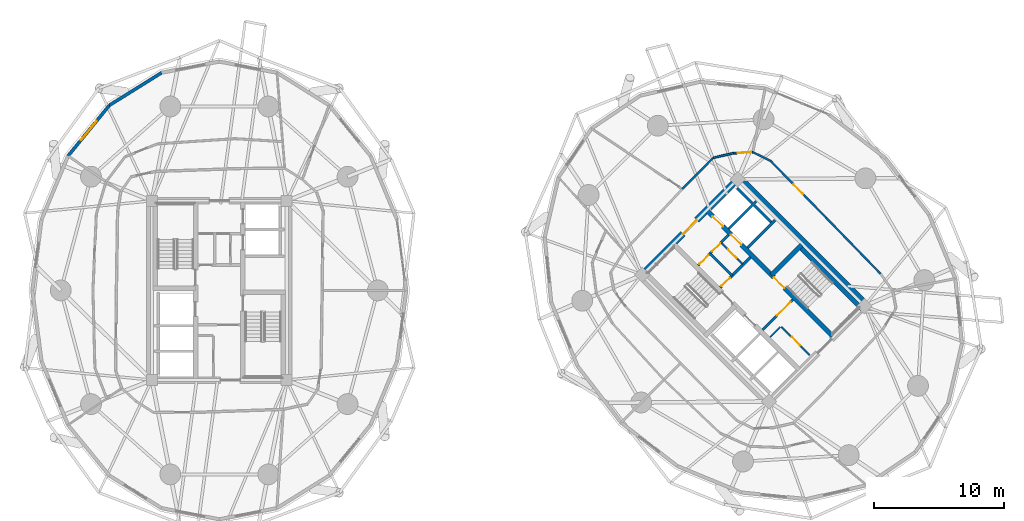
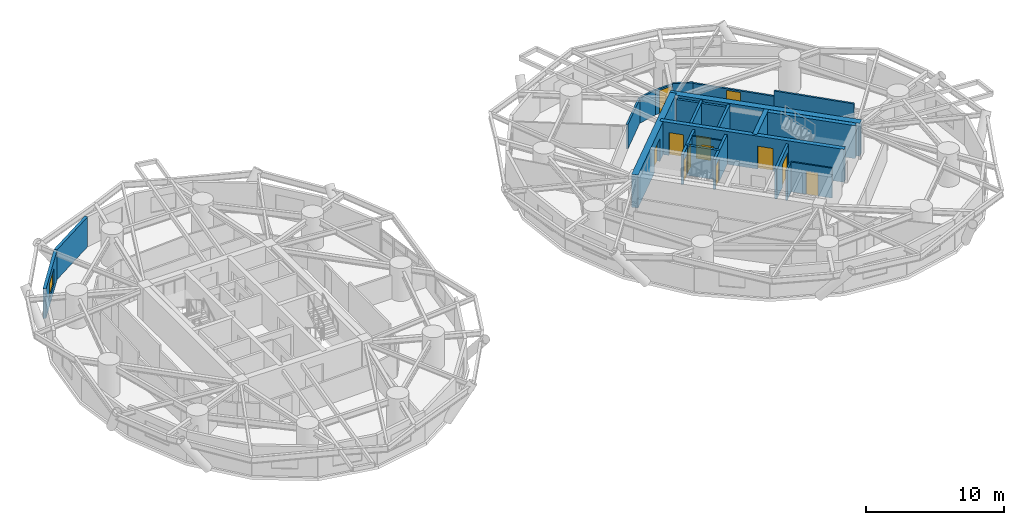
# One storey, part 13 of 17: 24 walls, 12 doors, 1 window, 13 openings.
"""IFC4 building model written with IfcOpenShell, lengths in metres."""

from ifc_helpers import new_model, si_unit, direction, frame, frame_2d, origin, place, context, subcontext, project, spatial, rectangle, extrude, source, transform, mapped, material, layer, layer_set, type_object, element, fill, save


model = new_model("IFC4")

# Units and contexts
model_context = context("Model", 3, precision=1e-05, world=origin(), true_north=direction((0.0, 1.0)))
body_context = subcontext(model_context, "Body", "Model", "MODEL_VIEW")
ifc_project = project(units=[si_unit("LENGTHUNIT", "METRE"), si_unit("AREAUNIT", "SQUARE_METRE"), si_unit("VOLUMEUNIT", "CUBIC_METRE"), si_unit("PLANEANGLEUNIT", "RADIAN"), si_unit("MASSUNIT", "GRAM", prefix="KILO")], contexts=[model_context])

# Site, building, storey
site_placement = place(None, origin())
site = spatial("IfcSite", under=ifc_project, at=site_placement, CompositionType="ELEMENT")
building_placement = place(site_placement, origin())
building = spatial("IfcBuilding", under=site, at=building_placement, Name="Cununo Teusaquillo Station Towers", CompositionType="ELEMENT")
storey_placement = place(building_placement, frame((0.0, 0.0, 27.820068359375)))
storey = spatial("IfcBuildingStorey", under=building, at=storey_placement, Name="L07", CompositionType="ELEMENT", Elevation=27.820068359375)

# Walls
ifc_material_1 = material(Name="Concrete C50/60", Category="concrete")
ifc_layer_1 = layer(ifc_material_1, 0.199951171875)
ifc_layer_set_1 = layer_set([ifc_layer_1], Name="Concrete C50/60")
wall_type_1 = type_object("IfcWallType", Name="WL-CORE-200", PredefinedType="SHEAR", material=ifc_layer_set_1)
wall_1_placement = place(storey_placement, frame((57.0615234375, 27.781005859375, 0.0), z_axis=(0.0, 0.0, 1.0), x_axis=(0.707106781187, 0.707106781187, 0.0)))
element("IfcWall", 1, at=wall_1_placement, inside=storey, type_object=wall_type_1, Name="L07 Tower B Low-Rise Lift Hoistway South Shear Wall", PredefinedType="SHEAR", context=body_context, shape_type="SweptSolid", body=[
    extrude(rectangle(XDim=2.969970703125, YDim=0.199951171875, at=frame_2d((1.48486328125, 0.0))), origin(), (0.0, 0.0, 1.0), 2.909912109375),
])
wall_2_placement = place(storey_placement, frame((55.615478515625, 29.22705078125, 0.0), z_axis=(0.0, 0.0, 1.0), x_axis=(0.707147878904, 0.70706568108, 0.0)))
element("IfcWall", 2, at=wall_2_placement, inside=storey, type_object=wall_type_1, Name="L07 Tower B Low-Rise Lift Hoistway Divider Shear Wall", PredefinedType="SHEAR", context=body_context, shape_type="SweptSolid", body=[
    extrude(rectangle(XDim=2.97021484375, YDim=0.199951171875, at=frame_2d((1.485107421875, 0.0))), origin(), (0.0, 0.0, 1.0), 2.909912109375),
])
wall_3_placement = place(storey_placement, frame((58.86474609375, 29.75390625, 0.0), z_axis=(0.0, 0.0, 1.0), x_axis=(-0.707174411312, 0.707039144592, 0.0)))
element("IfcWall", 3, at=wall_3_placement, inside=storey, type_object=wall_type_1, Name="L07 Tower B Low-Rise Lift 1 Shaft Rear Shear Wall", PredefinedType="SHEAR", context=body_context, shape_type="SweptSolid", body=[
    extrude(rectangle(XDim=1.804931640625, YDim=0.199951171875, at=frame_2d((0.90234375, 0.0))), origin(), (0.0, 0.0, 1.0), 2.909912109375),
])
wall_4_placement = place(storey_placement, frame((57.418701171875, 31.19970703125, 0.0), z_axis=(0.0, 0.0, 1.0), x_axis=(-0.707032117043, 0.707181437447, 0.0)))
element("IfcWall", 4, at=wall_4_placement, inside=storey, type_object=wall_type_1, Name="L07 Tower B Low-Rise Lift 2 Shaft Rear Shear Wall", PredefinedType="SHEAR", context=body_context, shape_type="SweptSolid", body=[
    extrude(rectangle(XDim=1.635009765625, YDim=0.199951171875, at=frame_2d((0.8173828125, 0.0))), origin(), (0.0, 0.0, 1.0), 2.909912109375),
])

# Wall, openings, doors
ifc_material_2 = material(Name="Concrete C50/60", Category="concrete")
ifc_layer_2 = layer(ifc_material_2, 0.35009765625)
ifc_layer_set_2 = layer_set([ifc_layer_2], Name="Concrete C50/60")
wall_type_2 = type_object("IfcWallType", Name="WL-CORE-350", PredefinedType="SHEAR", material=ifc_layer_set_2)
wall_5_placement = place(storey_placement, frame((63.662353515625, 20.904296875, 0.0), z_axis=(0.0, 0.0, 1.0), x_axis=(-0.707106781187, 0.707106781187, 0.0)))
wall_5 = element("IfcWall", 5, at=wall_5_placement, inside=storey, type_object=wall_type_2, Name="L07 Tower B Core Shear Wall IE", PredefinedType="SHEAR", context=body_context, shape_type="SweptSolid", body=[
    extrude(rectangle(XDim=13.800048828125, YDim=0.35009765625, at=frame_2d((6.89990234375, 0.0))), origin(), (0.0, 0.0, 1.0), 2.909912109375),
])
shared_shape_1 = source(origin(), body_context, "Body", "SweptSolid", [
    extrude(rectangle(XDim=1.10009765625, YDim=2.014892578125, at=frame_2d((0.550048828125, 1.00732421875))), frame((0.0, 0.18505859375, 0.0), z_axis=(0.0, -1.0, 0.0), x_axis=(1.0, 0.0, 0.0)), (0.0, 0.0, 1.0), 0.3701171875),
])
opening_1_placement = place(wall_5_placement, frame((10.02490234375, 0.0, 0.0)))
opening_1 = element("IfcOpeningElement", 6, at=opening_1_placement, cuts=wall_5, Name="Opening LD-01", PredefinedType="OPENING", context=body_context, shape_type="MappedRepresentation", body=[
    mapped(shared_shape_1, transform((0.0, 0.0, 0.0), x_axis=(1.0, 0.0, 0.0), y_axis=(0.0, 1.0, 0.0), z_axis=(0.0, 0.0, 1.0), scale=1.0)),
])
opening_2_placement = place(wall_5_placement, frame((12.02490234375, 0.0, 0.0)))
opening_2 = element("IfcOpeningElement", 7, at=opening_2_placement, cuts=wall_5, Name="Opening LD-01", PredefinedType="OPENING", context=body_context, shape_type="MappedRepresentation", body=[
    mapped(shared_shape_1, transform((0.0, 0.0, 0.0), x_axis=(1.0, 0.0, 0.0), y_axis=(0.0, 1.0, 0.0), z_axis=(0.0, 0.0, 1.0), scale=1.0)),
])
shared_shape_2 = source(origin(), body_context, "Body", "SweptSolid", [
    extrude(rectangle(XDim=1.14990234375, YDim=2.02001953125, at=frame_2d((0.574951171875, 1.010009765625))), frame((0.0, 0.18505859375, 0.0), z_axis=(0.0, -1.0, 0.0), x_axis=(1.0, 0.0, 0.0)), (0.0, 0.0, 1.0), 0.3701171875),
])
opening_3_placement = place(wall_5_placement, frame((5.330078125, 0.0, 0.0)))
opening_3 = element("IfcOpeningElement", 8, at=opening_3_placement, cuts=wall_5, Name="Opening D-ST1", PredefinedType="OPENING", context=body_context, shape_type="MappedRepresentation", body=[
    mapped(shared_shape_2, transform((0.0, 0.0, 0.0), x_axis=(1.0, 0.0, 0.0), y_axis=(0.0, 1.0, 0.0), z_axis=(0.0, 0.0, 1.0), scale=1.0)),
])
ifc_material_3 = material(Name="Galvanised fire-rated hollow steel door assembly", Category="steel")
door_type_1 = type_object("IfcDoorType", Name="DR-LIFT-1100", OperationType="SLIDING_TO_LEFT", PredefinedType="DOOR", material=ifc_material_3)
shared_shape_3 = source(origin(), body_context, "Body", "SweptSolid", [
    extrude(rectangle(XDim=1.10009765625, YDim=2.014892578125, at=frame_2d((0.550048828125, 1.00732421875))), frame((0.0, 0.02490234375, 0.0), z_axis=(0.0, -1.0, 0.0), x_axis=(1.0, 0.0, 0.0)), (0.0, 0.0, 1.0), 0.050048828125),
])
door_1_placement = place(opening_1_placement, origin())
door_1 = element("IfcDoor", 9, at=door_1_placement, inside=storey, type_object=door_type_1, Name="L07 Lift PL-T2-L1 Sliding Landing Door", OperationType="SLIDING_TO_RIGHT", OverallHeight=2.014892578125, OverallWidth=1.10009765625, PredefinedType="DOOR", context=body_context, shape_type="MappedRepresentation", body=[
    mapped(shared_shape_3, transform((0.0, 0.0, 0.0), x_axis=(1.0, 0.0, 0.0), y_axis=(0.0, 1.0, 0.0), z_axis=(0.0, 0.0, 1.0), scale=1.0)),
])
fill(opening_1, door_1)
door_2_placement = place(opening_2_placement, origin())
door_2 = element("IfcDoor", 10, at=door_2_placement, inside=storey, type_object=door_type_1, Name="L07 Lift PL-T2-L2 Sliding Landing Door", OperationType="SLIDING_TO_LEFT", OverallHeight=2.014892578125, OverallWidth=1.10009765625, PredefinedType="DOOR", context=body_context, shape_type="MappedRepresentation", body=[
    mapped(shared_shape_3, transform((0.0, 0.0, 0.0), x_axis=(1.0, 0.0, 0.0), y_axis=(0.0, 1.0, 0.0), z_axis=(0.0, 0.0, 1.0), scale=1.0)),
])
fill(opening_2, door_2)
ifc_material_4 = material(Name="Galvanised fire-rated hollow steel door assembly", Category="steel")
door_type_2 = type_object("IfcDoorType", Name="DR-STAIR-1150", OperationType="NOTDEFINED", PredefinedType="DOOR", material=ifc_material_4)
shared_shape_4 = source(origin(), body_context, "Body", "SweptSolid", [
    extrude(rectangle(XDim=1.14990234375, YDim=2.02001953125, at=frame_2d((0.574951171875, 1.010009765625))), frame((0.0, 0.02490234375, 0.0), z_axis=(0.0, -1.0, 0.0), x_axis=(1.0, 0.0, 0.0)), (0.0, 0.0, 1.0), 0.050048828125),
])
door_3_placement = place(opening_3_placement, origin())
door_3 = element("IfcDoor", 11, at=door_3_placement, inside=storey, type_object=door_type_2, Name="L07 Tower B Exit Stair 2 Fire Door", OperationType="SINGLE_SWING_RIGHT", OverallHeight=2.02001953125, OverallWidth=1.14990234375, PredefinedType="DOOR", context=body_context, shape_type="MappedRepresentation", body=[
    mapped(shared_shape_4, transform((0.0, 0.0, 0.0), x_axis=(1.0, 0.0, 0.0), y_axis=(0.0, 1.0, 0.0), z_axis=(0.0, 0.0, 1.0), scale=1.0)),
])
fill(opening_3, door_3)

# Walls
wall_6_placement = place(storey_placement, frame((65.847412109375, 23.08935546875, 0.0), z_axis=(0.0, 0.0, 1.0), x_axis=(-0.707106781187, 0.707106781187, 0.0)))
element("IfcWall", 12, at=wall_6_placement, inside=storey, type_object=wall_type_2, Name="L07 Tower B Core Shear Wall ST2E", PredefinedType="SHEAR", context=body_context, shape_type="SweptSolid", body=[
    extrude(rectangle(XDim=6.7451171875, YDim=0.35009765625, at=frame_2d((3.37255859375, 0.0))), origin(), (0.0, 0.0, 1.0), 2.909912109375),
])
wall_7_placement = place(storey_placement, frame((58.89306640625, 25.673828125, 0.0), z_axis=(0.0, 0.0, 1.0), x_axis=(0.707106781187, 0.707106781187, 0.0)))
element("IfcWall", 13, at=wall_7_placement, inside=storey, type_object=wall_type_2, Name="L07 Tower B Core Shear Wall ST2N", PredefinedType="SHEAR", context=body_context, shape_type="SweptSolid", body=[
    extrude(rectangle(XDim=3.284912109375, YDim=0.35009765625, at=frame_2d((1.642578125, 0.0))), origin(), (0.0, 0.0, 1.0), 2.909912109375),
])
ifc_material_5 = material(Name="Concrete C60/75", Category="concrete")
ifc_layer_3 = layer(ifc_material_5, 0.5)
ifc_layer_set_3 = layer_set([ifc_layer_3], Name="Concrete C60/75")
wall_type_3 = type_object("IfcWallType", Name="WL-CORE-500", PredefinedType="SHEAR", material=ifc_layer_set_3)
wall_8_placement = place(storey_placement, frame((66.3388671875, 23.227294921875, 0.0), z_axis=(0.0, 0.0, 1.0), x_axis=(-0.707106781187, 0.707106781187, 0.0)))
element("IfcWall", 14, at=wall_8_placement, inside=storey, type_object=wall_type_3, Name="L07 Tower B Core Shear Wall E", PredefinedType="SHEAR", context=body_context, shape_type="SweptSolid", body=[
    extrude(rectangle(XDim=14.2998046875, YDim=0.5, at=frame_2d((7.14990234375, 0.0))), origin(), (0.0, 0.0, 1.0), 2.909912109375),
])

# Wall, opening, door
wall_9_placement = place(storey_placement, frame((48.837890625, 25.595947265625, 0.0), z_axis=(0.0, 0.0, 1.0), x_axis=(0.707106781187, 0.707106781187, 0.0)))
wall_9 = element("IfcWall", 15, at=wall_9_placement, inside=storey, type_object=wall_type_3, Name="L07 Tower B Core Shear Wall N", PredefinedType="SHEAR", context=body_context, shape_type="SweptSolid", body=[
    extrude(rectangle(XDim=10.7001953125, YDim=0.5, at=frame_2d((5.35009765625, 0.0))), origin(), (0.0, 0.0, 1.0), 2.909912109375),
])
shared_shape_5 = source(origin(), body_context, "Body", "SweptSolid", [
    extrude(rectangle(XDim=1.5, YDim=2.02001953125, at=frame_2d((0.75, 1.010009765625))), frame((0.0, 0.260009765625, 0.0), z_axis=(0.0, -1.0, 0.0), x_axis=(1.0, 0.0, 0.0)), (0.0, 0.0, 1.0), 0.52001953125),
])
opening_4_placement = place(wall_9_placement, frame((4.60009765625, 0.0, 0.0)))
opening_4 = element("IfcOpeningElement", 16, at=opening_4_placement, cuts=wall_9, Name="Opening D-LB1", PredefinedType="OPENING", context=body_context, shape_type="MappedRepresentation", body=[
    mapped(shared_shape_5, transform((0.0, 0.0, 0.0), x_axis=(1.0, 0.0, 0.0), y_axis=(0.0, 1.0, 0.0), z_axis=(0.0, 0.0, 1.0), scale=1.0)),
])
ifc_material_6 = material(Name="Galvanised fire-rated hollow steel door assembly", Category="steel")
door_type_3 = type_object("IfcDoorType", Name="DR-LOBBY-1500", OperationType="DOUBLE_DOOR_SINGLE_SWING", PredefinedType="DOOR", material=ifc_material_6)
shared_shape_6 = source(origin(), body_context, "Body", "SweptSolid", [
    extrude(rectangle(XDim=1.5, YDim=2.02001953125, at=frame_2d((0.75, 1.010009765625))), frame((0.0, 0.02490234375, 0.0), z_axis=(0.0, -1.0, 0.0), x_axis=(1.0, 0.0, 0.0)), (0.0, 0.0, 1.0), 0.050048828125),
])
door_4_placement = place(opening_4_placement, origin())
door_4 = element("IfcDoor", 17, at=door_4_placement, inside=storey, type_object=door_type_3, Name="L07 Tower B North Core Lift Lobby Door", OperationType="DOUBLE_DOOR_SINGLE_SWING", OverallHeight=2.02001953125, OverallWidth=1.5, PredefinedType="DOOR", context=body_context, shape_type="MappedRepresentation", body=[
    mapped(shared_shape_6, transform((0.0, 0.0, 0.0), x_axis=(1.0, 0.0, 0.0), y_axis=(0.0, 1.0, 0.0), z_axis=(0.0, 0.0, 1.0), scale=1.0)),
])
fill(opening_4, door_4)

# Wall
ifc_material_7 = material(Name="Precast concrete C40/50", Category="concrete")
ifc_layer_4 = layer(ifc_material_7, 0.239990234375)
ifc_layer_set_4 = layer_set([ifc_layer_4], Name="Precast concrete C40/50")
wall_type_4 = type_object("IfcWallType", Name="WL-EXT-240", PredefinedType="SOLIDWALL", material=ifc_layer_set_4)
wall_10_placement = place(storey_placement, frame((8.064697265625, 38.71435546875, 0.0), z_axis=(0.0, 0.0, 1.0), x_axis=(0.848422721916, 0.529319265601, 0.0)))
element("IfcWall", 18, at=wall_10_placement, inside=storey, type_object=wall_type_4, Name="L07 Tower A Exterior Facade Wall C06", PredefinedType="SOLIDWALL", context=body_context, shape_type="SweptSolid", body=[
    extrude(rectangle(XDim=4.715087890625, YDim=0.239990234375, at=frame_2d((2.357421875, 0.0))), origin(), (0.0, 0.0, 1.0), 2.635009765625),
])

# Wall, opening, window
wall_11_placement = place(storey_placement, frame((4.889892578125, 34.827392578125, 0.0), z_axis=(0.0, 0.0, 1.0), x_axis=(0.632588557044, 0.774488035735, 0.0)))
wall_11 = element("IfcWall", 19, at=wall_11_placement, inside=storey, type_object=wall_type_4, Name="L07 Tower A Exterior Facade Wall C07", PredefinedType="SOLIDWALL", context=body_context, shape_type="SweptSolid", body=[
    extrude(rectangle(XDim=5.018798828125, YDim=0.239990234375, at=frame_2d((2.50927734375, 0.0))), origin(), (0.0, 0.0, 1.0), 2.635009765625),
])
shared_shape_7 = source(origin(), body_context, "Body", "SweptSolid", [
    extrude(rectangle(XDim=1.89990234375, YDim=1.35009765625, at=frame_2d((0.949951171875, 0.675048828125))), frame((0.0, 0.1298828125, 0.0), z_axis=(0.0, -1.0, 0.0), x_axis=(1.0, 0.0, 0.0)), (0.0, 0.0, 1.0), 0.260009765625),
])
opening_5_placement = place(wall_11_placement, frame((1.55908203125, 0.0, 0.64990234375)))
opening_5 = element("IfcOpeningElement", 20, at=opening_5_placement, cuts=wall_11, Name="Opening WN-02", PredefinedType="OPENING", context=body_context, shape_type="MappedRepresentation", body=[
    mapped(shared_shape_7, transform((0.0, 0.0, 0.0), x_axis=(1.0, 0.0, 0.0), y_axis=(0.0, 1.0, 0.0), z_axis=(0.0, 0.0, 1.0), scale=1.0)),
])
ifc_material_8 = material(Name="Operable acoustic tinted low-E double glazing", Category="glass")
window_type = type_object("IfcWindowType", Name="WIN-OPER-1900", PartitioningType="DOUBLE_PANEL_VERTICAL", PredefinedType="WINDOW", material=ifc_material_8)
shared_shape_8 = source(origin(), body_context, "Body", "SweptSolid", [
    extrude(rectangle(XDim=1.89990234375, YDim=1.35009765625, at=frame_2d((0.949951171875, 0.675048828125))), frame((0.0, 0.030029296875, 0.0), z_axis=(0.0, -1.0, 0.0), x_axis=(1.0, 0.0, 0.0)), (0.0, 0.0, 1.0), 0.06005859375),
])
window_placement = place(opening_5_placement, origin())
window = element("IfcWindow", 21, at=window_placement, inside=storey, type_object=window_type, Name="L07 Tower A Facade Window C07", OverallHeight=1.35009765625, OverallWidth=1.89990234375, PartitioningType="DOUBLE_PANEL_VERTICAL", PredefinedType="WINDOW", context=body_context, shape_type="MappedRepresentation", body=[
    mapped(shared_shape_8, transform((0.0, 0.0, 0.0), x_axis=(1.0, 0.0, 0.0), y_axis=(0.0, 1.0, 0.0), z_axis=(0.0, 0.0, 1.0), scale=1.0)),
])
fill(opening_5, window)

# Wall, opening, door
ifc_material_9 = material(Name="Fire-rated gypsum plasterboard partition assembly", Category="gypsum")
ifc_layer_5 = layer(ifc_material_9, 0.125)
ifc_layer_set_5 = layer_set([ifc_layer_5], Name="Fire-rated gypsum plasterboard partition assembly")
wall_type_5 = type_object("IfcWallType", Name="WL-PART-125", PredefinedType="PARTITIONING", material=ifc_layer_set_5)
wall_12_placement = place(storey_placement, frame((61.834716796875, 19.529052734375, 0.0), z_axis=(0.0, 0.0, 1.0), x_axis=(-0.707146413884, 0.707067146267, 0.0)))
wall_12 = element("IfcWall", 22, at=wall_12_placement, inside=storey, type_object=wall_type_5, Name="L07 Tower B South-West Tall Store East Wall", PredefinedType="PARTITIONING", context=body_context, shape_type="SweptSolid", body=[
    extrude(rectangle(XDim=3.079833984375, YDim=0.125, at=frame_2d((1.5400390625, 0.0))), origin(), (0.0, 0.0, 1.0), 2.635009765625),
])
shared_shape_9 = source(origin(), body_context, "Body", "SweptSolid", [
    extrude(rectangle(XDim=0.89990234375, YDim=2.0048828125, at=frame_2d((0.449951171875, 1.00244140625))), frame((0.0, 0.072509765625, 0.0), z_axis=(0.0, -1.0, 0.0), x_axis=(1.0, 0.0, 0.0)), (0.0, 0.0, 1.0), 0.14501953125),
])
opening_6_placement = place(wall_12_placement, frame((1.050048828125, 0.0, 0.0)))
opening_6 = element("IfcOpeningElement", 23, at=opening_6_placement, cuts=wall_12, Name="Opening D-SR1", PredefinedType="OPENING", context=body_context, shape_type="MappedRepresentation", body=[
    mapped(shared_shape_9, transform((0.0, 0.0, 0.0), x_axis=(1.0, 0.0, 0.0), y_axis=(0.0, 1.0, 0.0), z_axis=(0.0, 0.0, 1.0), scale=1.0)),
])
ifc_material_10 = material(Name="Galvanised fire-rated hollow steel door assembly", Category="steel")
door_type_4 = type_object("IfcDoorType", Name="DR-STORE-900", OperationType="NOTDEFINED", PredefinedType="DOOR", material=ifc_material_10)
shared_shape_10 = source(origin(), body_context, "Body", "SweptSolid", [
    extrude(rectangle(XDim=0.89990234375, YDim=2.0048828125, at=frame_2d((0.449951171875, 1.00244140625))), frame((0.0, 0.02490234375, 0.0), z_axis=(0.0, -1.0, 0.0), x_axis=(1.0, 0.0, 0.0)), (0.0, 0.0, 1.0), 0.050048828125),
])
door_5_placement = place(opening_6_placement, origin())
door_5 = element("IfcDoor", 24, at=door_5_placement, inside=storey, type_object=door_type_4, Name="L07 Tower B South Cleaners Store Door", OperationType="SINGLE_SWING_LEFT", OverallHeight=2.0048828125, OverallWidth=0.89990234375, PredefinedType="DOOR", context=body_context, shape_type="MappedRepresentation", body=[
    mapped(shared_shape_10, transform((0.0, 0.0, 0.0), x_axis=(1.0, 0.0, 0.0), y_axis=(0.0, 1.0, 0.0), z_axis=(0.0, 0.0, 1.0), scale=1.0)),
])
fill(opening_6, door_5)

# Wall
wall_13_placement = place(storey_placement, frame((58.7939453125, 20.9150390625, 0.0), z_axis=(0.0, 0.0, 1.0), x_axis=(0.707106781187, 0.707106781187, 0.0)))
element("IfcWall", 25, at=wall_13_placement, inside=storey, type_object=wall_type_5, Name="L07 Tower B South-West Tall Store North Wall", PredefinedType="PARTITIONING", context=body_context, shape_type="SweptSolid", body=[
    extrude(rectangle(XDim=1.10009765625, YDim=0.125, at=frame_2d((0.550048828125, 0.0))), origin(), (0.0, 0.0, 1.0), 2.635009765625),
])

# Wall, opening, door
wall_14_placement = place(storey_placement, frame((56.672607421875, 26.529296875, 0.0), z_axis=(0.0, 0.0, 1.0), x_axis=(-0.707052764397, 0.70716079385, 0.0)))
wall_14 = element("IfcWall", 26, at=wall_14_placement, inside=storey, type_object=wall_type_5, Name="L07 Tower B Core Vertical Split Wall", PredefinedType="PARTITIONING", context=body_context, shape_type="SweptSolid", body=[
    extrude(rectangle(XDim=2.260009765625, YDim=0.125, at=frame_2d((1.1298828125, 0.0))), origin(), (0.0, 0.0, 1.0), 2.635009765625),
])
opening_7_placement = place(wall_14_placement, frame((0.64990234375, 0.0, 0.0)))
opening_7 = element("IfcOpeningElement", 27, at=opening_7_placement, cuts=wall_14, Name="Opening D-SR1", PredefinedType="OPENING", context=body_context, shape_type="MappedRepresentation", body=[
    mapped(shared_shape_9, transform((0.0, 0.0, 0.0), x_axis=(1.0, 0.0, 0.0), y_axis=(0.0, 1.0, 0.0), z_axis=(0.0, 0.0, 1.0), scale=1.0)),
])
door_6_placement = place(opening_7_placement, origin())
door_6 = element("IfcDoor", 28, at=door_6_placement, inside=storey, type_object=door_type_4, Name="L07 Tower B Core Electrical Room Door", OperationType="SINGLE_SWING_LEFT", OverallHeight=2.0048828125, OverallWidth=0.89990234375, PredefinedType="DOOR", context=body_context, shape_type="MappedRepresentation", body=[
    mapped(shared_shape_10, transform((0.0, 0.0, 0.0), x_axis=(1.0, 0.0, 0.0), y_axis=(0.0, 1.0, 0.0), z_axis=(0.0, 0.0, 1.0), scale=1.0)),
])
fill(opening_7, door_6)

ifc_material_11 = material(Name="Fire-rated gypsum plasterboard partition assembly", Category="gypsum")
ifc_layer_6 = layer(ifc_material_11, 0.14990234375)
ifc_layer_set_6 = layer_set([ifc_layer_6], Name="Fire-rated gypsum plasterboard partition assembly")
wall_type_6 = type_object("IfcWallType", Name="WL-PART-150", PredefinedType="PARTITIONING", material=ifc_layer_set_6)
wall_15_placement = place(storey_placement, frame((63.086181640625, 30.086181640625, 0.0), z_axis=(0.0, 0.0, 1.0), x_axis=(-0.699075897379, 0.715047473741, 0.0)))
wall_15 = element("IfcWall", 29, at=wall_15_placement, inside=storey, type_object=wall_type_6, Name="L07 Tower B Corridor Ring Wall C00", PredefinedType="PARTITIONING", context=body_context, shape_type="SweptSolid", body=[
    extrude(rectangle(XDim=6.1142578125, YDim=0.14990234375, at=frame_2d((3.05712890625, 0.0))), origin(), (0.0, 0.0, 1.0), 2.158935546875),
])
shared_shape_11 = source(origin(), body_context, "Body", "SweptSolid", [
    extrude(rectangle(XDim=1.050048828125, YDim=2.014892578125, at=frame_2d((0.52490234375, 1.00732421875))), frame((0.0, 0.0849609375, 0.0), z_axis=(0.0, -1.0, 0.0), x_axis=(1.0, 0.0, 0.0)), (0.0, 0.0, 1.0), 0.169921875),
])
opening_8_placement = place(wall_15_placement, frame((2.5322265625, 0.0, 0.0)))
opening_8 = element("IfcOpeningElement", 30, at=opening_8_placement, cuts=wall_15, Name="Opening D-SU1", PredefinedType="OPENING", context=body_context, shape_type="MappedRepresentation", body=[
    mapped(shared_shape_11, transform((0.0, 0.0, 0.0), x_axis=(1.0, 0.0, 0.0), y_axis=(0.0, 1.0, 0.0), z_axis=(0.0, 0.0, 1.0), scale=1.0)),
])
ifc_material_12 = material(Name="Acoustic solid-core hardwood leaf assembly", Category="wood")
door_type_5 = type_object("IfcDoorType", Name="DR-SUITE-1050", OperationType="NOTDEFINED", PredefinedType="DOOR", material=ifc_material_12)
shared_shape_12 = source(origin(), body_context, "Body", "SweptSolid", [
    extrude(rectangle(XDim=1.050048828125, YDim=2.014892578125, at=frame_2d((0.52490234375, 1.00732421875))), frame((0.0, 0.02490234375, 0.0), z_axis=(0.0, -1.0, 0.0), x_axis=(1.0, 0.0, 0.0)), (0.0, 0.0, 1.0), 0.050048828125),
])
door_7_placement = place(opening_8_placement, origin())
door_7 = element("IfcDoor", 31, at=door_7_placement, inside=storey, type_object=door_type_5, Name="L07 Tower B Grand Conference Salon Entrance Door", OperationType="SINGLE_SWING_LEFT", OverallHeight=2.014892578125, OverallWidth=1.050048828125, PredefinedType="DOOR", context=body_context, shape_type="MappedRepresentation", body=[
    mapped(shared_shape_12, transform((0.0, 0.0, 0.0), x_axis=(1.0, 0.0, 0.0), y_axis=(0.0, 1.0, 0.0), z_axis=(0.0, 0.0, 1.0), scale=1.0)),
])
fill(opening_8, door_7)

# Wall
wall_16_placement = place(storey_placement, frame((58.811767578125, 34.458251953125, 0.0), z_axis=(0.0, 0.0, 1.0), x_axis=(-0.899559490277, 0.436798264021, 0.0)))
element("IfcWall", 32, at=wall_16_placement, inside=storey, type_object=wall_type_6, Name="L07 Tower B Corridor Ring Wall C01", PredefinedType="PARTITIONING", context=body_context, shape_type="SweptSolid", body=[
    extrude(rectangle(XDim=1.4951171875, YDim=0.14990234375, at=frame_2d((0.74755859375, 0.0))), origin(), (0.0, 0.0, 1.0), 2.204833984375),
])

# Wall, opening, door
wall_17_placement = place(storey_placement, frame((57.466796875, 35.111328125, 0.0), z_axis=(0.0, 0.0, 1.0), x_axis=(-0.998691757323, -0.051134859488, 0.0)))
wall_17 = element("IfcWall", 33, at=wall_17_placement, inside=storey, type_object=wall_type_6, Name="L07 Tower B Corridor Ring Wall C02", PredefinedType="PARTITIONING", context=body_context, shape_type="SweptSolid", body=[
    extrude(rectangle(XDim=1.48486328125, YDim=0.14990234375, at=frame_2d((0.742431640625, 0.0))), origin(), (0.0, 0.0, 1.0), 2.158935546875),
])
opening_9_placement = place(wall_17_placement, frame((0.1201171875, 0.0, 0.0)))
opening_9 = element("IfcOpeningElement", 34, at=opening_9_placement, cuts=wall_17, Name="Opening D-SU1", PredefinedType="OPENING", context=body_context, shape_type="MappedRepresentation", body=[
    mapped(shared_shape_11, transform((0.0, 0.0, 0.0), x_axis=(1.0, 0.0, 0.0), y_axis=(0.0, 1.0, 0.0), z_axis=(0.0, 0.0, 1.0), scale=1.0)),
])
door_8_placement = place(opening_9_placement, origin())
door_8 = element("IfcDoor", 35, at=door_8_placement, inside=storey, type_object=door_type_5, Name="L07 Tower B Simultaneous Interpretation Hall Entrance Door", OperationType="SINGLE_SWING_RIGHT", OverallHeight=2.014892578125, OverallWidth=1.050048828125, PredefinedType="DOOR", context=body_context, shape_type="MappedRepresentation", body=[
    mapped(shared_shape_12, transform((0.0, 0.0, 0.0), x_axis=(1.0, 0.0, 0.0), y_axis=(0.0, 1.0, 0.0), z_axis=(0.0, 0.0, 1.0), scale=1.0)),
])
fill(opening_9, door_8)

# Walls
wall_18_placement = place(storey_placement, frame((55.98388671875, 35.035400390625, 0.0), z_axis=(0.0, 0.0, 1.0), x_axis=(-0.975290305708, -0.22092718165, 0.0)))
element("IfcWall", 36, at=wall_18_placement, inside=storey, type_object=wall_type_6, Name="L07 Tower B Corridor Ring Wall C03", PredefinedType="PARTITIONING", context=body_context, shape_type="SweptSolid", body=[
    extrude(rectangle(XDim=1.596923828125, YDim=0.14990234375, at=frame_2d((0.79833984375, 0.0))), origin(), (0.0, 0.0, 1.0), 2.204833984375),
])
wall_19_placement = place(storey_placement, frame((54.426513671875, 34.6826171875, 0.0), z_axis=(0.0, 0.0, 1.0), x_axis=(-0.704178989986, -0.710022499687, 0.0)))
element("IfcWall", 37, at=wall_19_placement, inside=storey, type_object=wall_type_6, Name="L07 Tower B Corridor Ring Wall C04", PredefinedType="PARTITIONING", context=body_context, shape_type="SweptSolid", body=[
    extrude(rectangle(XDim=3.38427734375, YDim=0.14990234375, at=frame_2d((1.692138671875, 0.0))), origin(), (0.0, 0.0, 1.0), 2.158935546875),
])
wall_20_placement = place(storey_placement, frame((67.270263671875, 25.77978515625, 0.0), z_axis=(0.0, 0.0, 1.0), x_axis=(-0.696847842907, 0.717218992942, 0.0)))
element("IfcWall", 38, at=wall_20_placement, inside=storey, type_object=wall_type_6, Name="L07 Tower B Corridor Ring Wall C19", PredefinedType="PARTITIONING", context=body_context, shape_type="SweptSolid", body=[
    extrude(rectangle(XDim=6.00439453125, YDim=0.14990234375, at=frame_2d((3.002197265625, 0.0))), origin(), (0.0, 0.0, 1.0), 2.635009765625),
])

# Wall, opening, door
ifc_material_13 = material(Name="Fire-rated gypsum plasterboard partition assembly", Category="gypsum")
ifc_layer_7 = layer(ifc_material_13, 0.199951171875)
ifc_layer_set_7 = layer_set([ifc_layer_7], Name="Fire-rated gypsum plasterboard partition assembly")
wall_type_7 = type_object("IfcWallType", Name="WL-PART-200", PredefinedType="PARTITIONING", material=ifc_layer_set_7)
wall_21_placement = place(storey_placement, frame((58.214111328125, 21.466552734375, 0.0), z_axis=(0.0, 0.0, 1.0), x_axis=(0.707106781187, 0.707106781187, 0.0)))
wall_21 = element("IfcWall", 39, at=wall_21_placement, inside=storey, type_object=wall_type_7, Name="L07 Tower B Firefighting Lift Lobby South Fire Wall", PredefinedType="PARTITIONING", context=body_context, shape_type="SweptSolid", body=[
    extrude(rectangle(XDim=3.280029296875, YDim=0.199951171875, at=frame_2d((1.64013671875, 0.0))), origin(), (0.0, 0.0, 1.0), 2.635009765625),
])
shared_shape_13 = source(origin(), body_context, "Body", "SweptSolid", [
    extrude(rectangle(XDim=1.5, YDim=2.02001953125, at=frame_2d((0.75, 1.010009765625))), frame((0.0, 0.10986328125, 0.0), z_axis=(0.0, -1.0, 0.0), x_axis=(1.0, 0.0, 0.0)), (0.0, 0.0, 1.0), 0.219970703125),
])
opening_10_placement = place(wall_21_placement, frame((1.550048828125, 0.0, 0.0)))
opening_10 = element("IfcOpeningElement", 40, at=opening_10_placement, cuts=wall_21, Name="Opening D-LB1", PredefinedType="OPENING", context=body_context, shape_type="MappedRepresentation", body=[
    mapped(shared_shape_13, transform((0.0, 0.0, 0.0), x_axis=(1.0, 0.0, 0.0), y_axis=(0.0, 1.0, 0.0), z_axis=(0.0, 0.0, 1.0), scale=1.0)),
])
door_9_placement = place(opening_10_placement, origin())
door_9 = element("IfcDoor", 41, at=door_9_placement, inside=storey, type_object=door_type_3, Name="L07 Tower B Firefighting Lift Lobby South Fire Door", OperationType="DOUBLE_DOOR_SINGLE_SWING", OverallHeight=2.02001953125, OverallWidth=1.5, PredefinedType="DOOR", context=body_context, shape_type="MappedRepresentation", body=[
    mapped(shared_shape_6, transform((0.0, 0.0, 0.0), x_axis=(1.0, 0.0, 0.0), y_axis=(0.0, 1.0, 0.0), z_axis=(0.0, 0.0, 1.0), scale=1.0)),
])
fill(opening_10, door_9)

wall_22_placement = place(storey_placement, frame((54.96142578125, 24.71923828125, 0.0), z_axis=(0.0, 0.0, 1.0), x_axis=(0.707106781187, 0.707106781187, 0.0)))
wall_22 = element("IfcWall", 42, at=wall_22_placement, inside=storey, type_object=wall_type_7, Name="L07 Tower B Firefighting Lift Lobby North Fire Wall", PredefinedType="PARTITIONING", context=body_context, shape_type="SweptSolid", body=[
    extrude(rectangle(XDim=3.280029296875, YDim=0.199951171875, at=frame_2d((1.64013671875, 0.0))), origin(), (0.0, 0.0, 1.0), 2.635009765625),
])
shared_shape_14 = source(origin(), body_context, "Body", "SweptSolid", [
    extrude(rectangle(XDim=0.89990234375, YDim=2.0048828125, at=frame_2d((0.449951171875, 1.00244140625))), frame((0.0, 0.10986328125, 0.0), z_axis=(0.0, -1.0, 0.0), x_axis=(1.0, 0.0, 0.0)), (0.0, 0.0, 1.0), 0.219970703125),
])
opening_11_placement = place(wall_22_placement, frame((0.159912109375, 0.0, 0.0)))
opening_11 = element("IfcOpeningElement", 43, at=opening_11_placement, cuts=wall_22, Name="Opening D-SR1", PredefinedType="OPENING", context=body_context, shape_type="MappedRepresentation", body=[
    mapped(shared_shape_14, transform((0.0, 0.0, 0.0), x_axis=(1.0, 0.0, 0.0), y_axis=(0.0, 1.0, 0.0), z_axis=(0.0, 0.0, 1.0), scale=1.0)),
])
door_10_placement = place(opening_11_placement, origin())
door_10 = element("IfcDoor", 44, at=door_10_placement, inside=storey, type_object=door_type_4, Name="L07 Tower B Stair 1 Protected Vestibule South Door", OperationType="SINGLE_SWING_LEFT", OverallHeight=2.0048828125, OverallWidth=0.89990234375, PredefinedType="DOOR", context=body_context, shape_type="MappedRepresentation", body=[
    mapped(shared_shape_10, transform((0.0, 0.0, 0.0), x_axis=(1.0, 0.0, 0.0), y_axis=(0.0, 1.0, 0.0), z_axis=(0.0, 0.0, 1.0), scale=1.0)),
])
fill(opening_11, door_10)

# Wall
wall_23_placement = place(storey_placement, frame((55.873779296875, 25.63134765625, 0.0), z_axis=(0.0, 0.0, 1.0), x_axis=(-0.707157639372, 0.707055919343, 0.0)))
element("IfcWall", 45, at=wall_23_placement, inside=storey, type_object=wall_type_7, Name="L07 Tower B Stair 1 Vestibule Partition Wall", PredefinedType="PARTITIONING", context=body_context, shape_type="SweptSolid", body=[
    extrude(rectangle(XDim=2.400146484375, YDim=0.199951171875, at=frame_2d((1.2001953125, 0.0))), origin(), (0.0, 0.0, 1.0), 2.635009765625),
])

# Wall, openings, doors
wall_24_placement = place(storey_placement, frame((53.264404296875, 26.416259765625, 0.0), z_axis=(0.0, 0.0, 1.0), x_axis=(0.707106781187, 0.707106781187, 0.0)))
wall_24 = element("IfcWall", 46, at=wall_24_placement, inside=storey, type_object=wall_type_7, Name="L07 Tower B North Lift Lobby South Fire Wall", PredefinedType="PARTITIONING", context=body_context, shape_type="SweptSolid", body=[
    extrude(rectangle(XDim=3.280029296875, YDim=0.199951171875, at=frame_2d((1.64013671875, 0.0))), origin(), (0.0, 0.0, 1.0), 2.635009765625),
])
shared_shape_15 = source(origin(), body_context, "Body", "SweptSolid", [
    extrude(rectangle(XDim=1.0, YDim=2.014892578125, at=frame_2d((0.5, 1.00732421875))), frame((0.0, 0.10986328125, 0.0), z_axis=(0.0, -1.0, 0.0), x_axis=(1.0, 0.0, 0.0)), (0.0, 0.0, 1.0), 0.219970703125),
])
opening_12_placement = place(wall_24_placement, frame((0.139892578125, 0.0, 0.0)))
opening_12 = element("IfcOpeningElement", 47, at=opening_12_placement, cuts=wall_24, Name="Opening D-AC1", PredefinedType="OPENING", context=body_context, shape_type="MappedRepresentation", body=[
    mapped(shared_shape_15, transform((0.0, 0.0, 0.0), x_axis=(1.0, 0.0, 0.0), y_axis=(0.0, 1.0, 0.0), z_axis=(0.0, 0.0, 1.0), scale=1.0)),
])
opening_13_placement = place(wall_24_placement, frame((1.5, 0.0, 0.0)))
opening_13 = element("IfcOpeningElement", 48, at=opening_13_placement, cuts=wall_24, Name="Opening D-SR1", PredefinedType="OPENING", context=body_context, shape_type="MappedRepresentation", body=[
    mapped(shared_shape_14, transform((0.0, 0.0, 0.0), x_axis=(1.0, 0.0, 0.0), y_axis=(0.0, 1.0, 0.0), z_axis=(0.0, 0.0, 1.0), scale=1.0)),
])
door_11_placement = place(opening_13_placement, origin())
door_11 = element("IfcDoor", 49, at=door_11_placement, inside=storey, type_object=door_type_4, Name="L07 Tower B Core Housekeeping Store Door", OperationType="SINGLE_SWING_RIGHT", OverallHeight=2.0048828125, OverallWidth=0.89990234375, PredefinedType="DOOR", context=body_context, shape_type="MappedRepresentation", body=[
    mapped(shared_shape_10, transform((0.0, 0.0, 0.0), x_axis=(1.0, 0.0, 0.0), y_axis=(0.0, 1.0, 0.0), z_axis=(0.0, 0.0, 1.0), scale=1.0)),
])
fill(opening_13, door_11)
ifc_material_14 = material(Name="Acoustic solid-core hardwood leaf assembly", Category="wood")
door_type_6 = type_object("IfcDoorType", Name="DR-ACC-1000", OperationType="NOTDEFINED", PredefinedType="DOOR", material=ifc_material_14)
shared_shape_16 = source(origin(), body_context, "Body", "SweptSolid", [
    extrude(rectangle(XDim=1.0, YDim=2.014892578125, at=frame_2d((0.5, 1.00732421875))), frame((0.0, 0.02490234375, 0.0), z_axis=(0.0, -1.0, 0.0), x_axis=(1.0, 0.0, 0.0)), (0.0, 0.0, 1.0), 0.050048828125),
])
door_12_placement = place(opening_12_placement, origin())
door_12 = element("IfcDoor", 50, at=door_12_placement, inside=storey, type_object=door_type_6, Name="L07 Tower B North Lift Lobby to Stair 1 Vestibule Door", OperationType="SINGLE_SWING_RIGHT", OverallHeight=2.014892578125, OverallWidth=1.0, PredefinedType="DOOR", context=body_context, shape_type="MappedRepresentation", body=[
    mapped(shared_shape_16, transform((0.0, 0.0, 0.0), x_axis=(1.0, 0.0, 0.0), y_axis=(0.0, 1.0, 0.0), z_axis=(0.0, 0.0, 1.0), scale=1.0)),
])
fill(opening_12, door_12)

save(model, "model.ifc")
